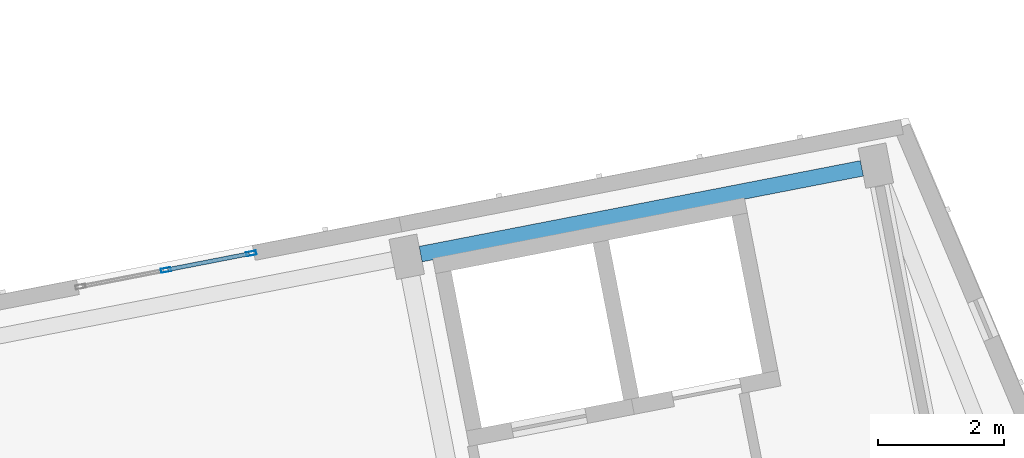
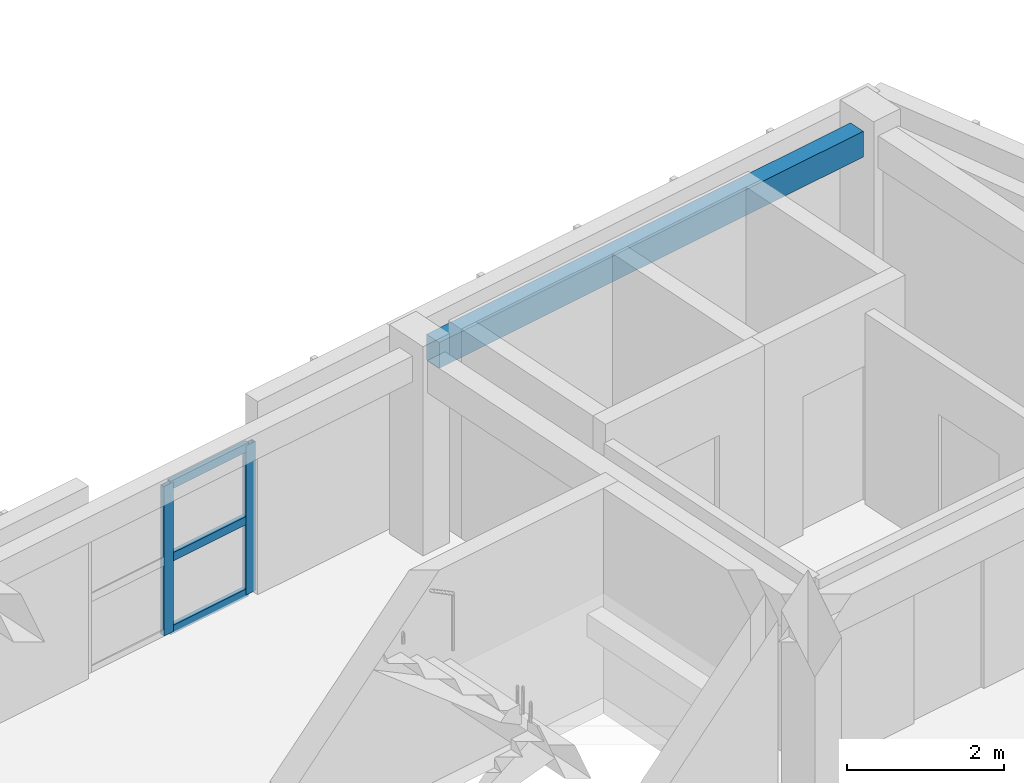
# One storey, part 12 of 64: 5 members, 1 beam, 1 element without a shape of its own.
"""IFC4 building model written with IfcOpenShell, lengths in metres."""

from ifc_helpers import new_model, si_unit, direction, frame, origin, origin_2d, place, context, subcontext, project, spatial, rectangle, hollow_rectangle, extrude, material, material_profile, profile_set, type_object, element, aggregate, save


model = new_model("IFC4")

# Units and contexts
model_context = context("Model", 3, precision=1e-05, world=origin(), true_north=direction((0.0, 1.0)))
body_context = subcontext(model_context, "Body", "Model", "MODEL_VIEW")
ifc_project = project(units=[si_unit("LENGTHUNIT", "METRE"), si_unit("AREAUNIT", "SQUARE_METRE"), si_unit("VOLUMEUNIT", "CUBIC_METRE"), si_unit("PLANEANGLEUNIT", "RADIAN"), si_unit("MASSUNIT", "GRAM", prefix="KILO")], contexts=[model_context])

# Site, building, storey
site_placement = place(None, origin())
site = spatial("IfcSite", under=ifc_project, at=site_placement, CompositionType="ELEMENT")
building_placement = place(site_placement, origin())
building = spatial("IfcBuilding", under=site, at=building_placement, Name="Kestramere Prow Commons", CompositionType="ELEMENT")
storey_placement = place(building_placement, frame((0.0, 0.0, 24.64990234375)))
storey = spatial("IfcBuildingStorey", under=building, at=storey_placement, Name="L07", CompositionType="ELEMENT", Elevation=24.64990234375)

# Curtain wall, members
ifc_material_1 = material(Name="Anodised Aluminium and Low-E Glass", Category="aluminium")
curtain_wall_type = type_object("IfcCurtainWallType", Name="CW-03 Glazed Curtain Wall 2830x2320", PredefinedType="USERDEFINED", material=ifc_material_1)
curtain_wall_placement = place(storey_placement, origin())
curtain_wall = element("IfcCurtainWall", 1, at=curtain_wall_placement, inside=storey, type_object=curtain_wall_type, Name="Block D L07 Stairwell Vertical Glazing 5", ObjectType="GLAZED CURTAIN WALL", PredefinedType="USERDEFINED")
ifc_material_2 = material(Name="Anodised Aluminium 6063-T6", Category="aluminium")
ifc_material_profile_1 = material_profile(ifc_material_2, hollow_rectangle(XDim=0.06494140625, YDim=0.159912109375, WallThickness=0.00390625, at=origin_2d()), Name="ALU-MUL 65x160")
ifc_profile_set_1 = profile_set([ifc_material_profile_1], Name="Anodised Aluminium 6063-T6")
member_type_1 = type_object("IfcMemberType", Name="CW-MUL-65x160", PredefinedType="MULLION", material=ifc_profile_set_1)
member_1_placement = place(storey_placement, frame((148.131591796875, 60.281005859375, 0.0), z_axis=(0.0, 0.0, 1.0), x_axis=(-0.190808835118, 0.981627214599, 0.0)))
member_1 = element("IfcMember", 2, at=member_1_placement, type_object=member_type_1, Name="CW-03 mullion 2", PredefinedType="MULLION", context=body_context, shape_type="SweptSolid", body=[
    extrude(hollow_rectangle(XDim=0.06494140625, YDim=0.159912109375, WallThickness=0.00390625, at=origin_2d()), origin(), (0.0, 0.0, 1.0), 2.320068359375),
])
member_2_placement = place(storey_placement, frame((149.48876953125, 60.544677734375, 0.0), z_axis=(0.0, 0.0, 1.0), x_axis=(-0.190808835118, 0.981627214599, 0.0)))
member_2 = element("IfcMember", 3, at=member_2_placement, type_object=member_type_1, Name="CW-03 mullion 3", PredefinedType="MULLION", context=body_context, shape_type="SweptSolid", body=[
    extrude(hollow_rectangle(XDim=0.06494140625, YDim=0.159912109375, WallThickness=0.00390625, at=origin_2d()), origin(), (0.0, 0.0, 1.0), 2.320068359375),
])
ifc_material_profile_2 = material_profile(ifc_material_2, hollow_rectangle(XDim=0.06494140625, YDim=0.1298828125, WallThickness=0.00390625, at=origin_2d()), Name="ALU-TRN 65x130")
ifc_profile_set_2 = profile_set([ifc_material_profile_2], Name="Anodised Aluminium 6063-T6")
member_type_2 = type_object("IfcMemberType", Name="CW-TRN-65x130", PredefinedType="USERDEFINED", material=ifc_profile_set_2)
member_3_placement = place(storey_placement, frame((148.16357421875, 60.287109375, 0.03271484375), z_axis=(0.981614425191, 0.190874619208, 0.0), x_axis=(-0.190874619208, 0.981614425191, 0.0)))
member_3 = element("IfcMember", 4, at=member_3_placement, type_object=member_type_2, Name="CW-03 transom 2.1", ObjectType="TRANSOM", PredefinedType="USERDEFINED", context=body_context, shape_type="SweptSolid", body=[
    extrude(hollow_rectangle(XDim=0.06494140625, YDim=0.1298828125, WallThickness=0.00390625, at=origin_2d()), origin(), (0.0, 0.0, 1.0), 1.3173828125),
])
member_4_placement = place(storey_placement, frame((148.16357421875, 60.287109375, 1.16015625), z_axis=(0.981614425191, 0.190874619208, 0.0), x_axis=(-0.190874619208, 0.981614425191, 0.0)))
member_4 = element("IfcMember", 5, at=member_4_placement, type_object=member_type_2, Name="CW-03 transom 2.2", ObjectType="TRANSOM", PredefinedType="USERDEFINED", context=body_context, shape_type="SweptSolid", body=[
    extrude(hollow_rectangle(XDim=0.06494140625, YDim=0.1298828125, WallThickness=0.00390625, at=origin_2d()), origin(), (0.0, 0.0, 1.0), 1.3173828125),
])
member_5_placement = place(storey_placement, frame((148.16357421875, 60.287109375, 2.28759765625), z_axis=(0.981614425191, 0.190874619208, 0.0), x_axis=(-0.190874619208, 0.981614425191, 0.0)))
member_5 = element("IfcMember", 6, at=member_5_placement, type_object=member_type_2, Name="CW-03 transom 2.3", ObjectType="TRANSOM", PredefinedType="USERDEFINED", context=body_context, shape_type="SweptSolid", body=[
    extrude(hollow_rectangle(XDim=0.06494140625, YDim=0.1298828125, WallThickness=0.00390625, at=origin_2d()), origin(), (0.0, 0.0, 1.0), 1.3173828125),
])
aggregate(curtain_wall, [member_1, member_2, member_3, member_4, member_5])

# Beam
ifc_material_3 = material(Name="Precast concrete C40/50", Category="concrete")
ifc_material_profile_3 = material_profile(ifc_material_3, rectangle(XDim=0.25, YDim=0.39990234375, at=origin_2d()), Name="PC-SP 250x400")
ifc_profile_set_3 = profile_set([ifc_material_profile_3], Name="Precast concrete C40/50")
beam_type = type_object("IfcBeamType", Name="SP-EXT-01 PC-SP 250x400", PredefinedType="SPANDREL", material=ifc_profile_set_3)
beam_placement = place(storey_placement, frame((152.182861328125, 60.533447265625, 2.800048828125), z_axis=(0.981621075955, 0.19084041302, 0.0), x_axis=(-0.19084041302, 0.981621075955, 0.0)))
element("IfcBeam", 7, at=beam_placement, inside=storey, type_object=beam_type, Name="Block D L07 Longitudinal Beam 4-6", PredefinedType="SPANDREL", context=body_context, shape_type="SweptSolid", body=[
    extrude(rectangle(XDim=0.25, YDim=0.39990234375, at=origin_2d()), origin(), (0.0, 0.0, 1.0), 7.14990234375),
])

save(model, "model.ifc")
